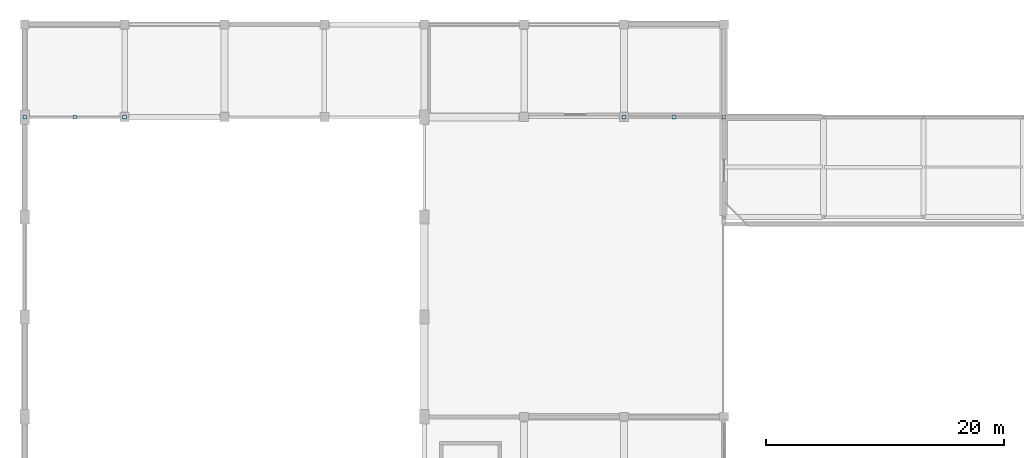
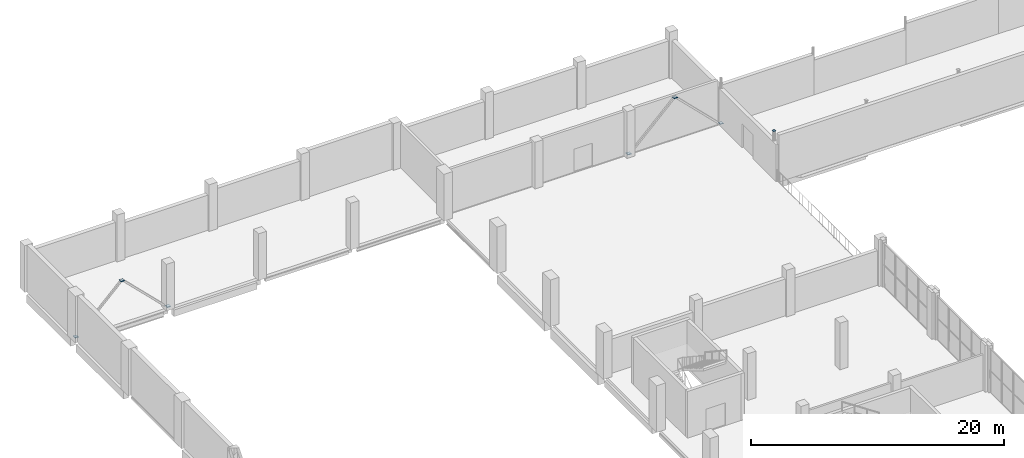
# One storey, part 53 of 75: 7 plates.
"""IFC4 building model written with IfcOpenShell, lengths in metres."""

import ifcopenshell
import ifcopenshell.guid

model = None  # the IFC model being written
_history = None  # IfcOwnerHistory: only IFC2X3 demands one
_inside = {}  # id of a spatial element -> (the spatial element, [elements in it])
_under = {}  # id of a project, library or spatial element -> (it, [spatial elements below it])
_declared = {}  # id of a project -> (the project, [libraries it declares])
_typed = {}  # id of a type object -> (the type object, [elements of that type])
_made_of = {}  # id of a material, layer set ... -> (it, [elements and type objects made of it])


def new_model(schema):
    """Start an empty IFC model of exactly this schema.

    Asked for "IFC4X3", IfcOpenShell would pick the latest addendum, in which some entities
    have other attributes; the version numbers below select the first issue.
    IFC2X3 requires an IfcOwnerHistory on every rooted entity: one is made here for all.
    """
    global model, _history
    if schema == "IFC4X3":
        model = ifcopenshell.file(schema_version=(4, 3, 0, 0))
    else:
        model = ifcopenshell.file(schema=schema)
    _inside.clear()
    _under.clear()
    _declared.clear()
    _typed.clear()
    _made_of.clear()
    _history = None
    if model.schema == "IFC2X3":
        org = make("IfcOrganization", Name="unknown")
        user = make(
            "IfcPersonAndOrganization",
            ThePerson=make("IfcPerson", FamilyName="unknown"),
            TheOrganization=org,
        )
        app = make(
            "IfcApplication",
            ApplicationDeveloper=org,
            Version="unknown",
            ApplicationFullName="unknown",
            ApplicationIdentifier="unknown",
        )
        _history = make(
            "IfcOwnerHistory",
            OwningUser=user,
            OwningApplication=app,
            ChangeAction="ADDED",
            CreationDate=0,
        )
    return model


def make(cls, **values):
    """One entity of the class cls with the attributes given. An attribute that is None is left unset."""
    return model.create_entity(
        cls, **{name: value for name, value in values.items() if value is not None}
    )


def rooted(cls, **values):
    """An entity with a GlobalId (a new one), such as an element, a storey or a relation."""
    return make(cls, GlobalId=ifcopenshell.guid.new(), OwnerHistory=_history, **values)


def si_unit(unit_type, name, prefix=None):
    """IfcSIUnit, for example si_unit("LENGTHUNIT", "METRE", prefix="MILLI")."""
    return make("IfcSIUnit", UnitType=unit_type, Prefix=prefix, Name=name)


def derived_unit(unit_type, elements):
    """IfcDerivedUnit: a product of units, each with its exponent."""
    return make(
        "IfcDerivedUnit",
        Elements=[
            make("IfcDerivedUnitElement", Unit=unit, Exponent=power)
            for unit, power in elements
        ],
        UnitType=unit_type,
    )


def assignment(units):
    """IfcUnitAssignment: the units of a project."""
    return None if units is None else make("IfcUnitAssignment", Units=units)


def point(xyz):
    """IfcCartesianPoint."""
    return None if xyz is None else make("IfcCartesianPoint", Coordinates=xyz)


def direction(xyz):
    """IfcDirection."""
    return None if xyz is None else make("IfcDirection", DirectionRatios=xyz)


def frame(location, z_axis=None, x_axis=None):
    """IfcAxis2Placement3D, a coordinate frame: its origin and axes. An axis left out is left unset."""
    return make(
        "IfcAxis2Placement3D",
        Location=point(location),
        Axis=direction(z_axis),
        RefDirection=direction(x_axis),
    )


def frame_2d(location, x_axis=None):
    """IfcAxis2Placement2D, a coordinate frame in the plane: its origin and x axis."""
    return make(
        "IfcAxis2Placement2D", Location=point(location), RefDirection=direction(x_axis)
    )


def origin():
    """The frame at (0, 0, 0) with its axes left unset."""
    return frame((0.0, 0.0, 0.0))


def origin_2d():
    """The frame at (0, 0) in the plane with its x axis left unset."""
    return frame_2d((0.0, 0.0))


def place(relative_to, where):
    """IfcLocalPlacement: puts the frame where relative to a parent placement (None: the world)."""
    return make(
        "IfcLocalPlacement", PlacementRelTo=relative_to, RelativePlacement=where
    )


def context(
    kind, dimensions, precision=None, world=None, true_north=None, identifier=None
):
    """IfcGeometricRepresentationContext, for example the 3D "Model" context."""
    return make(
        "IfcGeometricRepresentationContext",
        ContextIdentifier=identifier,
        ContextType=kind,
        CoordinateSpaceDimension=dimensions,
        Precision=precision,
        WorldCoordinateSystem=world,
        TrueNorth=true_north,
    )


def subcontext(parent, identifier, kind, view, scale=None):
    """IfcGeometricRepresentationSubContext, for example "Body" below "Model"."""
    return make(
        "IfcGeometricRepresentationSubContext",
        ContextIdentifier=identifier,
        ContextType=kind,
        ParentContext=parent,
        TargetScale=scale,
        TargetView=view,
    )


def project(units=None, contexts=None):
    """IfcProject with its units and contexts."""
    return rooted(
        "IfcProject",
        Name="project",
        RepresentationContexts=contexts,
        UnitsInContext=assignment(units),
    )


def spatial(cls, under=None, at=None, **own):
    """A site, building, storey or space (cls), placed at a placement, below another one or the project."""
    s = rooted(cls, ObjectPlacement=at, **own)
    if under is not None:
        _under.setdefault(under.id(), (under, []))[1].append(s)
    return s


def profile(cls, at=None, kind="AREA", **sizes):
    """A parametric profile (cls). Its sizes go by their IFC names, for example OverallWidth=200.0."""
    return make(cls, ProfileType=kind, Position=at, **sizes)


def rectangle(**sizes):
    """IfcRectangleProfileDef."""
    return profile("IfcRectangleProfileDef", **sizes)


def extrude(swept, where, along, depth):
    """IfcExtrudedAreaSolid: the profile swept, set in the frame where, extruded along a direction by depth."""
    return make(
        "IfcExtrudedAreaSolid",
        SweptArea=swept,
        Position=where,
        ExtrudedDirection=direction(along),
        Depth=depth,
    )


def shape(context_of_items, identifier, shape_type, items):
    """IfcShapeRepresentation: the items that make up one representation, for example the "Body"."""
    return make(
        "IfcShapeRepresentation",
        ContextOfItems=context_of_items,
        RepresentationIdentifier=identifier,
        RepresentationType=shape_type,
        Items=items,
    )


def material(Name=None, Category=None):
    """IfcMaterial."""
    return make("IfcMaterial", Name=Name, Category=Category)


def layer(
    of_material, thickness, ventilated=None, Name=None, Category=None, Priority=None
):
    """IfcMaterialLayer: one layer of a wall or slab, of a material (None: an air gap)."""
    return make(
        "IfcMaterialLayer",
        Material=of_material,
        LayerThickness=thickness,
        IsVentilated=ventilated,
        Name=Name,
        Category=Category,
        Priority=Priority,
    )


def layer_set(layers, Name=None):
    """IfcMaterialLayerSet."""
    return make("IfcMaterialLayerSet", MaterialLayers=layers, LayerSetName=Name)


def made_of(thing, what):
    """Note that an element or type object is made of a material, layer set ...; save() writes the relation."""
    if what is not None:
        _made_of.setdefault(what.id(), (what, []))[1].append(thing)
    return thing


def type_object(cls, material=None, **own):
    """A type object (cls), such as IfcWallType, which elements share."""
    return made_of(rooted(cls, **own), material)


def element(
    cls,
    number,
    at=None,
    inside=None,
    cuts=None,
    type_object=None,
    material=None,
    context=None,
    identifier="Body",
    shape_type=None,
    held_by="IfcProductDefinitionShape",
    body=None,
    shapes=None,
    **own,
):
    """One element of the class cls, such as IfcWall. Its Tag is "e" and its number.

    at: its placement. inside: the storey or other place that contains it. cuts: it is an
    opening in that element (IfcRelVoidsElement). A single representation is given by context,
    identifier, shape_type and body (its items); several are given by shapes. held_by: the class
    of the entity that holds the representations. save() writes the other relations.
    """
    e = rooted(cls, Tag="e%d" % number, ObjectPlacement=at, **own)
    if body is not None:
        shapes = [shape(context, identifier, shape_type, body)]
    if shapes is not None:
        e.Representation = make(held_by, Representations=shapes)
    if inside is not None:
        _inside.setdefault(inside.id(), (inside, []))[1].append(e)
    if cuts is not None:
        rooted(
            "IfcRelVoidsElement", RelatingBuildingElement=cuts, RelatedOpeningElement=e
        )
    if type_object is not None:
        _typed.setdefault(type_object.id(), (type_object, []))[1].append(e)
    return made_of(e, material)


def aggregate(whole, parts):
    """IfcRelAggregates: a whole, such as a stair, and the parts it consists of."""
    return rooted("IfcRelAggregates", RelatingObject=whole, RelatedObjects=parts)


def save(model, path):
    """Write the relations noted so far, then the file.

    IfcRelAggregates (storeys below a building ...), IfcRelContainedInSpatialStructure (elements
    in a storey), IfcRelDefinesByType, IfcRelAssociatesMaterial and IfcRelDeclares: one each for
    every whole, place, type object, material and project.
    """
    for whole, parts in _under.values():
        aggregate(whole, parts)
    for where, things in _inside.values():
        rooted(
            "IfcRelContainedInSpatialStructure",
            RelatedElements=things,
            RelatingStructure=where,
        )
    for kind, things in _typed.values():
        rooted("IfcRelDefinesByType", RelatedObjects=things, RelatingType=kind)
    for what, things in _made_of.values():
        rooted("IfcRelAssociatesMaterial", RelatedObjects=things, RelatingMaterial=what)
    for by, libraries in _declared.values():
        rooted("IfcRelDeclares", RelatingContext=by, RelatedDefinitions=libraries)
    model.write(path)


model = new_model("IFC4")

# Units and contexts
model_context = context("Model", 3, precision=1e-05, world=origin(), true_north=direction((0.0, 1.0)))
body_context = subcontext(model_context, "Body", "Model", "MODEL_VIEW")
ifc_project = project(units=[si_unit("LENGTHUNIT", "METRE"), si_unit("AREAUNIT", "SQUARE_METRE"), si_unit("VOLUMEUNIT", "CUBIC_METRE"), si_unit("PLANEANGLEUNIT", "RADIAN"), si_unit("MASSUNIT", "GRAM", prefix="KILO"), derived_unit("THERMALTRANSMITTANCEUNIT", [(si_unit("POWERUNIT", "WATT"), 1), (si_unit("LENGTHUNIT", "METRE"), -2), (si_unit("THERMODYNAMICTEMPERATUREUNIT", "KELVIN"), -1)])], contexts=[model_context])

# Site, building, storey
site_placement = place(None, origin())
site = spatial("IfcSite", under=ifc_project, at=site_placement, CompositionType="ELEMENT")
building_placement = place(site_placement, origin())
building = spatial("IfcBuilding", under=site, at=building_placement, Name="Barrovel Congress Hotel", CompositionType="ELEMENT")
storey_placement = place(building_placement, frame((0.0, 0.0, 5.39990234375)))
storey = spatial("IfcBuildingStorey", under=building, at=storey_placement, Name="L01", CompositionType="ELEMENT", Elevation=5.39990234375)

# Plates
ifc_material = material(Name="Steel ASTM A992 Grade 50", Category="steel")
ifc_layer_1 = layer(ifc_material, 0.010009765625)
ifc_layer_set_1 = layer_set([ifc_layer_1], Name="Steel ASTM A992 Grade 50")
plate_type_1 = type_object("IfcPlateType", Name="EC-10", PredefinedType="SHEET", material=ifc_layer_set_1)
plate_placement = place(storey_placement, frame((58.800048828125, 96.60009765625, 4.5), z_axis=(0.0, 0.0, 1.0), x_axis=(1.0, 0.0, 0.0)))
element("IfcPlate", 1, at=plate_placement, inside=storey, type_object=plate_type_1, Name="End Cap Plate COL:L01:58.8:96.6 end", PredefinedType="SHEET", context=body_context, shape_type="SweptSolid", body=[
    extrude(rectangle(XDim=0.218994140625, YDim=0.218994140625, at=origin_2d()), origin(), (0.0, 0.0, 1.0), 0.010009765625),
])
ifc_layer_2 = layer(ifc_material, 0.02392578125)
ifc_layer_set_2 = layer_set([ifc_layer_2], Name="Steel ASTM A992 Grade 50")
plate_type_2 = type_object("IfcPlateType", Name="GP-24", PredefinedType="SHEET", material=ifc_layer_set_2)
for number, where, z_axis, x_axis, name in (
    (2, (0.0, 105.0, 0.128173828125), (0.0, 0.0, 1.0), (1.0, 0.0, 0.0), "Braced Frame Gusset Plate L01 BF1 BL"),
    (3, (8.39990234375, 105.0, 0.128173828125), (0.0, 0.0, 1.0), (1.0, 0.0, 0.0), "Braced Frame Gusset Plate L01 BF1 BR"),
    (4, (4.199951171875, 105.0, 4.078125), (0.0, 0.0, 1.0), (1.0, 0.0, 0.0), "Braced Frame Gusset Plate L01 BF1 AP"),
    (5, (50.39990234375, 105.0, 0.128173828125), (0.0, 0.0, 1.0), (1.0, 0.0, 0.0), "Braced Frame Gusset Plate L01 BF2 BL"),
    (6, (58.800048828125, 105.0, 0.128173828125), (0.0, 0.0, 1.0), (1.0, 0.0, 0.0), "Braced Frame Gusset Plate L01 BF2 BR"),
    (7, (54.60009765625, 105.0, 4.078125), (0.0, 0.0, 1.0), (1.0, 0.0, 0.0), "Braced Frame Gusset Plate L01 BF2 AP"),
):
    element("IfcPlate", number, at=place(storey_placement, frame(where, z_axis=z_axis, x_axis=x_axis)), inside=storey, type_object=plate_type_2, Name=name, PredefinedType="SHEET", context=body_context, shape_type="SweptSolid", body=[
        extrude(rectangle(XDim=0.320068359375, YDim=0.320068359375, at=origin_2d()), origin(), (0.0, 0.0, 1.0), 0.02392578125),
    ])

save(model, "model.ifc")
